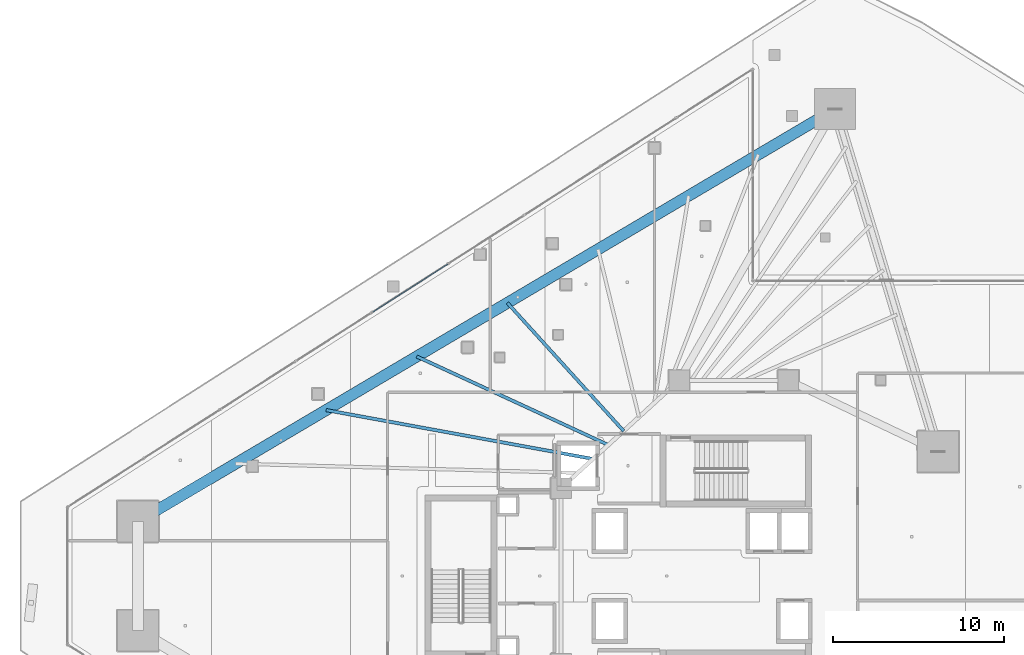
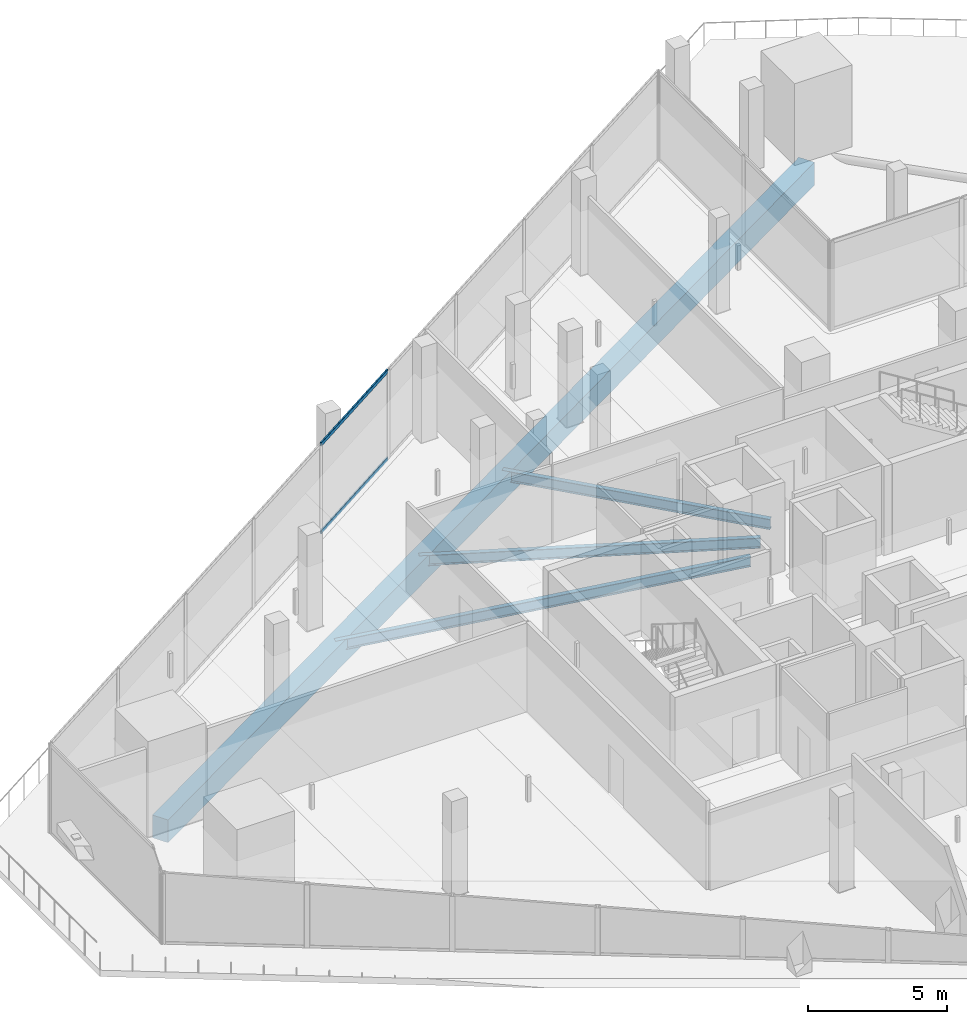
# One storey, part 15 of 44: 4 beams, 2 members, 1 element without a shape of its own.
"""IFC4 building model written with IfcOpenShell, lengths in metres."""

from ifc_helpers import new_model, si_unit, direction, frame, origin, origin_2d, place, context, subcontext, project, spatial, rectangle, hollow_rectangle, i_section, extrude, material, layer, layer_set, material_profile, profile_set, type_object, element, aggregate, save


model = new_model("IFC4")

# Units and contexts
model_context = context("Model", 3, precision=1e-05, world=origin(), true_north=direction((0.0, 1.0)))
body_context = subcontext(model_context, "Body", "Model", "MODEL_VIEW")
ifc_project = project(units=[si_unit("LENGTHUNIT", "METRE"), si_unit("AREAUNIT", "SQUARE_METRE"), si_unit("VOLUMEUNIT", "CUBIC_METRE"), si_unit("PLANEANGLEUNIT", "RADIAN"), si_unit("MASSUNIT", "GRAM", prefix="KILO")], contexts=[model_context])

# Site, building, storey
site_placement = place(None, origin())
site = spatial("IfcSite", under=ifc_project, at=site_placement, CompositionType="ELEMENT")
building_placement = place(site_placement, origin())
building = spatial("IfcBuilding", under=site, at=building_placement, Name="Qorvath Tower", CompositionType="ELEMENT")
storey_placement = place(building_placement, frame((0.0, 0.0, 78.60009765625)))
storey = spatial("IfcBuildingStorey", under=building, at=storey_placement, Name="L17", CompositionType="ELEMENT", Elevation=78.60009765625)

# Beams
ifc_material_1 = material(Name="Steel ASTM A992 Grade 50", Category="steel")
ifc_material_profile_1 = material_profile(ifc_material_1, i_section(OverallWidth=0.18994140625, OverallDepth=0.45703125, WebThickness=0.009033203125, FlangeThickness=0.014404296875, FilletRadius=0.011962890625, at=origin_2d()), Name="W18x50")
ifc_profile_set_1 = profile_set([ifc_material_profile_1], Name="Steel ASTM A992 Grade 50")
beam_type_1 = type_object("IfcBeamType", Name="BM-FJ2", PredefinedType="JOIST", material=ifc_profile_set_1)
beam_1_placement = place(storey_placement, frame((-28.636962890625, 6.85107421875, -0.508544921875), z_axis=(-0.983656498786, 0.180055248176, 0.0), x_axis=(-0.180055248176, -0.983656498786, 0.0)))
element("IfcBeam", 1, at=beam_1_placement, inside=storey, type_object=beam_type_1, Name="Composite Floor Joist NW2 L17", PredefinedType="JOIST", context=body_context, shape_type="SweptSolid", body=[
    extrude(i_section(OverallWidth=0.18994140625, OverallDepth=0.45703125, WebThickness=0.009033203125, FlangeThickness=0.014404296875, FilletRadius=0.011962890625, at=origin_2d()), origin(), (0.0, 0.0, 1.0), 15.884521484375),
])
beam_2_placement = place(storey_placement, frame((-27.739990234375, 7.669921875, -0.508544921875), z_axis=(-0.907881281747, 0.419227358665, 0.0), x_axis=(-0.419227358665, -0.907881281747, 0.0)))
element("IfcBeam", 2, at=beam_2_placement, inside=storey, type_object=beam_type_1, Name="Composite Floor Joist NW3 L17", PredefinedType="JOIST", context=body_context, shape_type="SweptSolid", body=[
    extrude(i_section(OverallWidth=0.18994140625, OverallDepth=0.45703125, WebThickness=0.009033203125, FlangeThickness=0.014404296875, FilletRadius=0.011962890625, at=origin_2d()), origin(), (0.0, 0.0, 1.0), 12.353515625),
])
beam_3_placement = place(storey_placement, frame((-26.843017578125, 8.489013671875, -0.508544921875), z_axis=(-0.672128980215, 0.740434084815, 0.0), x_axis=(-0.740434084815, -0.672128980215, 0.0)))
element("IfcBeam", 3, at=beam_3_placement, inside=storey, type_object=beam_type_1, Name="Composite Floor Joist NW4 L17", PredefinedType="JOIST", context=body_context, shape_type="SweptSolid", body=[
    extrude(i_section(OverallWidth=0.18994140625, OverallDepth=0.45703125, WebThickness=0.009033203125, FlangeThickness=0.014404296875, FilletRadius=0.011962890625, at=origin_2d()), origin(), (0.0, 0.0, 1.0), 10.1259765625),
])
ifc_material_2 = material(Name="Concrete C50/60", Category="concrete")
ifc_material_profile_2 = material_profile(ifc_material_2, rectangle(XDim=0.64990234375, YDim=1.0, at=origin_2d()), Name="RCB 1000x650")
ifc_profile_set_2 = profile_set([ifc_material_profile_2], Name="Concrete C50/60")
beam_type_2 = type_object("IfcBeamType", Name="BM-RCB1", PredefinedType="SPANDREL", material=ifc_profile_set_2)
beam_4_placement = place(storey_placement, frame((-14.46435546875, 27.330810546875, -0.780029296875), z_axis=(-0.860777360917, -0.508981664633, 0.0), x_axis=(0.508981664633, -0.860777360917, 0.0)))
element("IfcBeam", 4, at=beam_4_placement, inside=storey, type_object=beam_type_2, Name="Perimeter Loggia Frame Beam MC6-MC1 L17", PredefinedType="SPANDREL", context=body_context, shape_type="SweptSolid", body=[
    extrude(rectangle(XDim=0.64990234375, YDim=1.0, at=origin_2d()), origin(), (0.0, 0.0, 1.0), 47.420654296875),
])

# Curtain wall, members
ifc_material_3 = material(Name="Anodised aluminium and triple low-E glass", Category="aluminium")
ifc_layer = layer(ifc_material_3, 0.179931640625)
ifc_layer_set = layer_set([ifc_layer], Name="CW-SYS-5")
curtain_wall_type = type_object("IfcCurtainWallType", Name="CW-SYS-5", PredefinedType="NOTDEFINED", material=ifc_layer_set)
curtain_wall_placement = place(storey_placement, origin())
curtain_wall = element("IfcCurtainWall", 5, at=curtain_wall_placement, inside=storey, type_object=curtain_wall_type, Name="Curtain Wall CW-5 CW-T-L17-4.1", PredefinedType="NOTDEFINED")
ifc_material_4 = material(Name="Anodised aluminium 6063-T6", Category="aluminium")
ifc_material_profile_3 = material_profile(ifc_material_4, hollow_rectangle(XDim=0.06494140625, YDim=0.159912109375, WallThickness=0.00341796875, InnerFilletRadius=0.00341796875, OuterFilletRadius=0.007080078125, at=origin_2d()), Name="CWT 160x65")
ifc_profile_set_3 = profile_set([ifc_material_profile_3], Name="Anodised aluminium 6063-T6")
member_type = type_object("IfcMemberType", Name="CWT-160", PredefinedType="USERDEFINED", material=ifc_profile_set_3)
member_1_placement = place(storey_placement, frame((-37.140869140625, 18.25439453125, 0.032470703125), z_axis=(-0.842584141032, -0.538564727105, 0.0), x_axis=(0.538564727105, -0.842584141032, 0.0)))
member_1 = element("IfcMember", 6, at=member_1_placement, type_object=member_type, Name="CW-5 transom 5.1", ObjectType="TRANSOM", PredefinedType="USERDEFINED", context=body_context, shape_type="SweptSolid", body=[
    extrude(hollow_rectangle(XDim=0.06494140625, YDim=0.159912109375, WallThickness=0.00341796875, InnerFilletRadius=0.00341796875, OuterFilletRadius=0.007080078125, at=origin_2d()), origin(), (0.0, 0.0, 1.0), 5.21484375),
])
member_2_placement = place(storey_placement, frame((-37.140869140625, 18.25439453125, 3.887451171875), z_axis=(-0.842584141032, -0.538564727105, 0.0), x_axis=(0.538564727105, -0.842584141032, 0.0)))
member_2 = element("IfcMember", 7, at=member_2_placement, type_object=member_type, Name="CW-5 transom 5.2", ObjectType="TRANSOM", PredefinedType="USERDEFINED", context=body_context, shape_type="SweptSolid", body=[
    extrude(hollow_rectangle(XDim=0.06494140625, YDim=0.159912109375, WallThickness=0.00341796875, InnerFilletRadius=0.00341796875, OuterFilletRadius=0.007080078125, at=origin_2d()), origin(), (0.0, 0.0, 1.0), 5.21484375),
])
aggregate(curtain_wall, [member_1, member_2])

save(model, "model.ifc")
